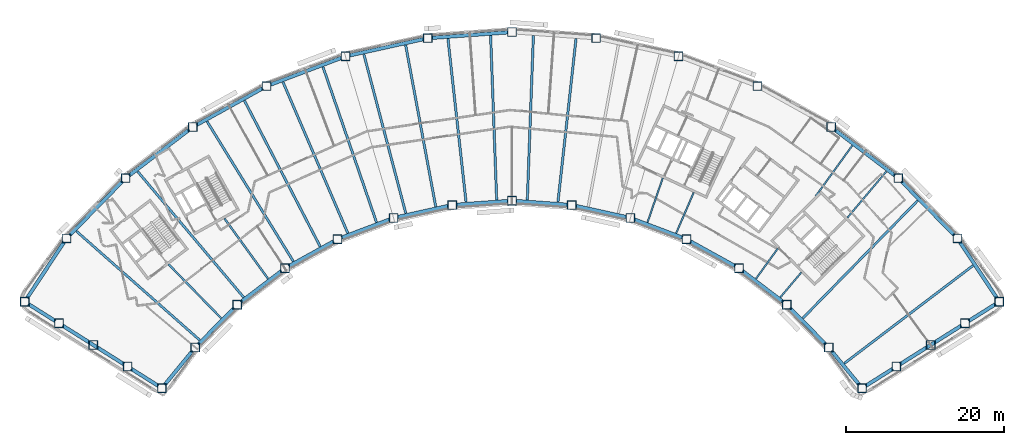
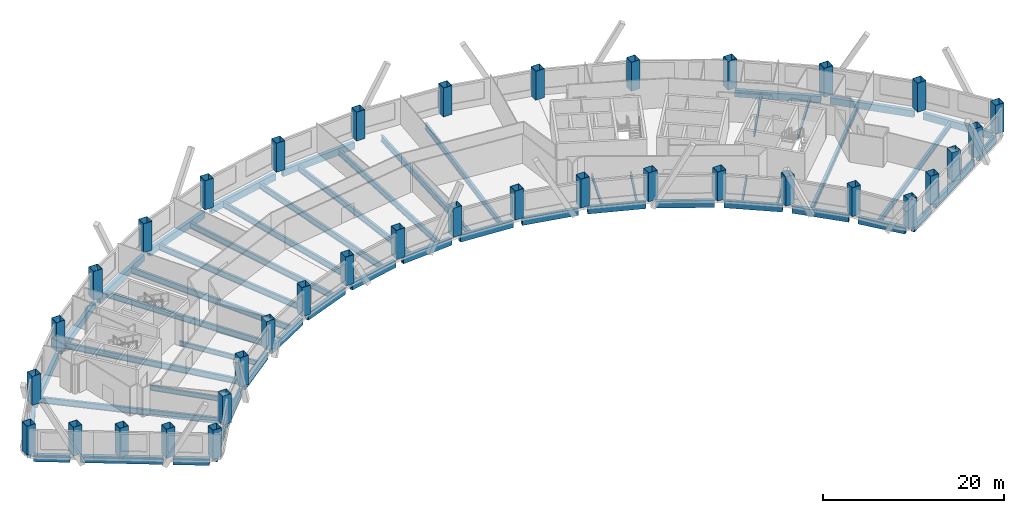
# One storey, part 1 of 11: 52 beams, 36 columns.
"""IFC4 building model written with IfcOpenShell, lengths in metres."""

from ifc_helpers import new_model, si_unit, direction, frame, origin, origin_2d, place, context, subcontext, project, spatial, hollow_rectangle, i_section, extrude, material, material_profile, profile_set, type_object, element, save


model = new_model("IFC4")

# Units and contexts
model_context = context("Model", 3, precision=1e-05, world=origin(), true_north=direction((0.0, 1.0)))
body_context = subcontext(model_context, "Body", "Model", "MODEL_VIEW")
ifc_project = project(units=[si_unit("LENGTHUNIT", "METRE"), si_unit("AREAUNIT", "SQUARE_METRE"), si_unit("VOLUMEUNIT", "CUBIC_METRE"), si_unit("PLANEANGLEUNIT", "RADIAN"), si_unit("MASSUNIT", "GRAM", prefix="KILO")], contexts=[model_context])

# Site, building, storey
site_placement = place(None, origin())
site = spatial("IfcSite", under=ifc_project, at=site_placement, CompositionType="ELEMENT")
building_placement = place(site_placement, origin())
building = spatial("IfcBuilding", under=site, at=building_placement, Name="Tuul Gate Civic Tower", CompositionType="ELEMENT")
storey_placement = place(building_placement, frame((0.0, 0.0, 107.699951171875)))
storey = spatial("IfcBuildingStorey", under=building, at=storey_placement, Name="Level 24", CompositionType="ELEMENT", Elevation=107.699951171875)

# Columns
ifc_material_1 = material(Name="Steel S355", Category="steel")
ifc_material_profile_1 = material_profile(ifc_material_1, hollow_rectangle(XDim=1.10009765625, YDim=1.10009765625, WallThickness=0.035888671875, at=origin_2d()), Name="BOX1100x1100x36")
ifc_profile_set_1 = profile_set([ifc_material_profile_1], Name="Steel S355")
column_type = type_object("IfcColumnType", Name="STR-COLUMN-BOX1100x1100x36", PredefinedType="COLUMN", material=ifc_profile_set_1)
for number, where, z_axis, x_axis, name in (
    (1, (71.5, -20.44189453125, 0.0), (0.0, 0.0, 1.0), (1.0, 0.0, 0.0), "Column"),
    (2, (66.200927734375, -12.428955078125, 0.0), (0.0, 0.0, 1.0), (1.0, 0.0, 0.0), "Column"),
    (3, (58.72607421875, -4.803955078125, 0.0), (0.0, 0.0, 1.0), (1.0, 0.0, 0.0), "Column"),
    (4, (50.23095703125, 1.6640625, 0.0), (0.0, 0.0, 1.0), (1.0, 0.0, 0.0), "Column"),
    (5, (40.89306640625, 6.840087890625, 0.0), (0.0, 0.0, 1.0), (1.0, 0.0, 0.0), "Column"),
    (6, (30.905029296875, 10.616943359375, 0.0), (0.0, 0.0, 1.0), (1.0, 0.0, 0.0), "Column"),
    (7, (20.47802734375, 12.9150390625, 0.0), (0.0, 0.0, 1.0), (1.0, 0.0, 0.0), "Column"),
    (8, (9.8291015625, 13.68603515625, 0.0), (0.0, 0.0, 1.0), (1.0, 0.0, 0.0), "Column"),
    (9, (-0.821044921875, 12.9150390625, 0.0), (0.0, 0.0, 1.0), (1.0, 0.0, 0.0), "Column"),
    (10, (-11.248046875, 10.616943359375, 0.0), (0.0, 0.0, 1.0), (1.0, 0.0, 0.0), "Column"),
    (11, (-21.235107421875, 6.840087890625, 0.0), (0.0, 0.0, 1.0), (1.0, 0.0, 0.0), "Column"),
    (12, (-30.573974609375, 1.6640625, 0.0), (0.0, 0.0, 1.0), (1.0, 0.0, 0.0), "Column"),
    (13, (-39.069091796875, -4.803955078125, 0.0), (0.0, 0.0, 1.0), (1.0, 0.0, 0.0), "Column"),
    (14, (-46.54296875, -12.428955078125, 0.0), (0.0, 0.0, 1.0), (1.0, 0.0, 0.0), "Column"),
    (15, (-51.842041015625, -20.44189453125, 0.0), (0.0, 0.0, 1.0), (1.0, 0.0, 0.0), "Column"),
    (16, (-47.5, -23.176025390625, 0.0), (0.0, 0.0, 1.0), (1.0, 0.0, 0.0), "Column"),
    (17, (-43.156982421875, -25.910888671875, 0.0), (0.0, 0.0, 1.0), (1.0, 0.0, 0.0), "Column"),
    (18, (-38.81494140625, -28.64599609375, 0.0), (0.0, 0.0, 1.0), (1.0, 0.0, 0.0), "Column"),
    (19, (-34.471923828125, -31.3798828125, 0.0), (0.0, 0.0, 1.0), (1.0, 0.0, 0.0), "Column"),
    (20, (-30.251953125, -26.238037109375, 0.0), (0.0, 0.0, 1.0), (1.0, 0.0, 0.0), "Column"),
    (21, (-24.93798828125, -20.81689453125, 0.0), (0.0, 0.0, 1.0), (1.0, 0.0, 0.0), "Column"),
    (22, (-18.89794921875, -16.218017578125, 0.0), (0.0, 0.0, 1.0), (1.0, 0.0, 0.0), "Column"),
    (23, (-12.258056640625, -12.537109375, 0.0), (0.0, 0.0, 1.0), (1.0, 0.0, 0.0), "Column"),
    (24, (-5.156982421875, -9.85205078125, 0.0), (0.0, 0.0, 1.0), (1.0, 0.0, 0.0), "Column"),
    (25, (2.257080078125, -8.218017578125, 0.0), (0.0, 0.0, 1.0), (1.0, 0.0, 0.0), "Column"),
    (26, (9.8291015625, -7.6689453125, 0.0), (0.0, 0.0, 1.0), (1.0, 0.0, 0.0), "Column"),
    (27, (17.40087890625, -8.218017578125, 0.0), (0.0, 0.0, 1.0), (1.0, 0.0, 0.0), "Column"),
    (28, (24.81494140625, -9.85205078125, 0.0), (0.0, 0.0, 1.0), (1.0, 0.0, 0.0), "Column"),
    (29, (31.9150390625, -12.537109375, 0.0), (0.0, 0.0, 1.0), (1.0, 0.0, 0.0), "Column"),
    (30, (38.554931640625, -16.218017578125, 0.0), (0.0, 0.0, 1.0), (1.0, 0.0, 0.0), "Column"),
    (31, (44.595947265625, -20.81689453125, 0.0), (0.0, 0.0, 1.0), (1.0, 0.0, 0.0), "Column"),
    (32, (49.909912109375, -26.238037109375, 0.0), (0.0, 0.0, 1.0), (1.0, 0.0, 0.0), "Column"),
    (33, (54.1298828125, -31.3798828125, 0.0), (0.0, 0.0, 1.0), (1.0, 0.0, 0.0), "Column"),
    (34, (58.471923828125, -28.64599609375, 0.0), (0.0, 0.0, 1.0), (1.0, 0.0, 0.0), "Column"),
    (35, (62.81494140625, -25.910888671875, 0.0), (0.0, 0.0, 1.0), (1.0, 0.0, 0.0), "Column"),
    (36, (67.156982421875, -23.176025390625, 0.0), (0.0, 0.0, 1.0), (1.0, 0.0, 0.0), "Column"),
):
    element("IfcColumn", number, at=place(storey_placement, frame(where, z_axis=z_axis, x_axis=x_axis)), inside=storey, type_object=column_type, Name=name, PredefinedType="COLUMN", context=body_context, shape_type="SweptSolid", body=[
        extrude(hollow_rectangle(XDim=1.10009765625, YDim=1.10009765625, WallThickness=0.035888671875, at=origin_2d()), origin(), (0.0, 0.0, 1.0), 3.900146484375),
    ])

# Beams
ifc_material_2 = material(Name="Steel S355", Category="steel")
ifc_material_profile_2 = material_profile(ifc_material_2, i_section(OverallWidth=0.199951171875, OverallDepth=0.5, WebThickness=0.010009765625, FlangeThickness=0.01611328125, at=origin_2d()), Name="PG500x200x10x16")
ifc_profile_set_2 = profile_set([ifc_material_profile_2], Name="Steel S355")
beam_type_1 = type_object("IfcBeamType", Name="STR-FLOOR BEAM-PG500x200x10x16", PredefinedType="BEAM", material=ifc_profile_set_2)
beam_1_placement = place(storey_placement, frame((43.78662109375, -19.88671875, -0.550048828125), z_axis=(0.644164873832, 0.764886668286, 0.0), x_axis=(-0.764886668286, 0.644164873832, 0.0)))
element("IfcBeam", 37, at=beam_1_placement, inside=storey, type_object=beam_type_1, Name="Floor beam", PredefinedType="BEAM", context=body_context, shape_type="SweptSolid", body=[
    extrude(i_section(OverallWidth=0.199951171875, OverallDepth=0.5, WebThickness=0.010009765625, FlangeThickness=0.01611328125, at=origin_2d()), origin(), (0.0, 0.0, 1.0), 4.129638671875),
])
beam_2_placement = place(storey_placement, frame((52.270263671875, -9.812255859375, -0.550048828125), z_axis=(0.644131817174, 0.764914506402, 0.0), x_axis=(-0.764914506402, 0.644131817174, 0.0)))
element("IfcBeam", 38, at=beam_2_placement, inside=storey, type_object=beam_type_1, Name="Floor beam", PredefinedType="BEAM", context=body_context, shape_type="SweptSolid", body=[
    extrude(i_section(OverallWidth=0.199951171875, OverallDepth=0.5, WebThickness=0.010009765625, FlangeThickness=0.01611328125, at=origin_2d()), origin(), (0.0, 0.0, 1.0), 7.65478515625),
])
beam_3_placement = place(storey_placement, frame((40.6982421875, -17.535400390625, -0.550048828125), z_axis=(0.586092436702, 0.810244195068, 0.0), x_axis=(-0.810244195068, 0.586092436702, 0.0)))
element("IfcBeam", 39, at=beam_3_placement, inside=storey, type_object=beam_type_1, Name="Floor beam", PredefinedType="BEAM", context=body_context, shape_type="SweptSolid", body=[
    extrude(i_section(OverallWidth=0.199951171875, OverallDepth=0.5, WebThickness=0.010009765625, FlangeThickness=0.01611328125, at=origin_2d()), origin(), (0.0, 0.0, 1.0), 4.73779296875),
])
beam_4_placement = place(storey_placement, frame((48.2353515625, -7.11572265625, -0.550048828125), z_axis=(0.586078163081, 0.810254519741, 0.0), x_axis=(-0.810254519741, 0.586078163081, 0.0)))
element("IfcBeam", 40, at=beam_4_placement, inside=storey, type_object=beam_type_1, Name="Floor beam", PredefinedType="BEAM", context=body_context, shape_type="SweptSolid", body=[
    extrude(i_section(OverallWidth=0.199951171875, OverallDepth=0.5, WebThickness=0.010009765625, FlangeThickness=0.01611328125, at=origin_2d()), origin(), (0.0, 0.0, 1.0), 7.94677734375),
])
beam_5_placement = place(storey_placement, frame((30.60546875, -11.7744140625, -0.550048828125), z_axis=(0.394202846621, 0.919023457653, 0.0), x_axis=(-0.919023457653, 0.394202846621, 0.0)))
element("IfcBeam", 41, at=beam_5_placement, inside=storey, type_object=beam_type_1, Name="Floor beam", PredefinedType="BEAM", context=body_context, shape_type="SweptSolid", body=[
    extrude(i_section(OverallWidth=0.199951171875, OverallDepth=0.5, WebThickness=0.010009765625, FlangeThickness=0.01611328125, at=origin_2d()), origin(), (0.0, 0.0, 1.0), 5.611083984375),
])
beam_6_placement = place(storey_placement, frame((26.97509765625, -10.401611328125, -0.550048828125), z_axis=(0.325486996398, 0.945546516664, 0.0), x_axis=(-0.945546516664, 0.325486996398, 0.0)))
element("IfcBeam", 42, at=beam_6_placement, inside=storey, type_object=beam_type_1, Name="Floor beam", PredefinedType="BEAM", context=body_context, shape_type="SweptSolid", body=[
    extrude(i_section(OverallWidth=0.199951171875, OverallDepth=0.5, WebThickness=0.010009765625, FlangeThickness=0.01611328125, at=origin_2d()), origin(), (0.0, 0.0, 1.0), 5.930908203125),
])
ifc_material_3 = material(Name="Steel S355", Category="steel")
ifc_material_profile_3 = material_profile(ifc_material_3, i_section(OverallWidth=0.25, OverallDepth=0.64990234375, WebThickness=0.011962890625, FlangeThickness=0.02001953125, at=origin_2d()), Name="PG650x250x12x20")
ifc_profile_set_3 = profile_set([ifc_material_profile_3], Name="Steel S355")
beam_type_2 = type_object("IfcBeamType", Name="STR-FLOOR BEAM-PG650x250x12x20", PredefinedType="BEAM", material=ifc_profile_set_3)
beam_7_placement = place(storey_placement, frame((-21.040771484375, -17.53515625, -0.625), z_axis=(-0.586071957424, 0.810259008417, 0.0), x_axis=(-0.810259008417, -0.586071957424, 0.0)))
element("IfcBeam", 43, at=beam_7_placement, inside=storey, type_object=beam_type_2, Name="Floor beam", PredefinedType="BEAM", context=body_context, shape_type="SweptSolid", body=[
    extrude(i_section(OverallWidth=0.25, OverallDepth=0.64990234375, WebThickness=0.011962890625, FlangeThickness=0.02001953125, at=origin_2d()), origin(), (0.0, 0.0, 1.0), 9.4111328125),
])
beam_8_placement = place(storey_placement, frame((-26.96923828125, -22.531982421875, -0.625), z_axis=(-0.698693179665, 0.715421442711, 0.0), x_axis=(-0.715421442711, -0.698693179665, 0.0)))
element("IfcBeam", 44, at=beam_8_placement, inside=storey, type_object=beam_type_2, Name="Floor beam", PredefinedType="BEAM", context=body_context, shape_type="SweptSolid", body=[
    extrude(i_section(OverallWidth=0.25, OverallDepth=0.64990234375, WebThickness=0.011962890625, FlangeThickness=0.02001953125, at=origin_2d()), origin(), (0.0, 0.0, 1.0), 9.5302734375),
])
ifc_material_4 = material(Name="Steel S355", Category="steel")
ifc_material_profile_4 = material_profile(ifc_material_4, i_section(OverallWidth=0.300048828125, OverallDepth=0.800048828125, WebThickness=0.013916015625, FlangeThickness=0.02490234375, at=origin_2d()), Name="PG800x300x14x25")
ifc_profile_set_4 = profile_set([ifc_material_profile_4], Name="Steel S355")
beam_type_3 = type_object("IfcBeamType", Name="STR-FLOOR BEAM-PG800x300x14x25", PredefinedType="BEAM", material=ifc_profile_set_4)
beam_9_placement = place(storey_placement, frame((51.8837890625, -28.2490234375, -0.699951171875), z_axis=(0.796146559843, 0.605103838403, 0.0), x_axis=(-0.605103838403, 0.796146559843, 0.0)))
element("IfcBeam", 45, at=beam_9_placement, inside=storey, type_object=beam_type_3, Name="Floor beam", PredefinedType="BEAM", context=body_context, shape_type="SweptSolid", body=[
    extrude(i_section(OverallWidth=0.300048828125, OverallDepth=0.800048828125, WebThickness=0.013916015625, FlangeThickness=0.02490234375, at=origin_2d()), origin(), (0.0, 0.0, 1.0), 20.46240234375),
])
beam_10_placement = place(storey_placement, frame((46.627197265625, -22.531982421875, -0.699951171875), z_axis=(0.698684495675, 0.715429923544, 0.0), x_axis=(-0.715429923544, 0.698684495675, 0.0)))
element("IfcBeam", 46, at=beam_10_placement, inside=storey, type_object=beam_type_3, Name="Floor beam", PredefinedType="BEAM", context=body_context, shape_type="SweptSolid", body=[
    extrude(i_section(OverallWidth=0.300048828125, OverallDepth=0.800048828125, WebThickness=0.013916015625, FlangeThickness=0.02490234375, at=origin_2d()), origin(), (0.0, 0.0, 1.0), 20.804931640625),
])
beam_11_placement = place(storey_placement, frame((15.64013671875, -7.839599609375, -0.699951171875), z_axis=(0.110288630292, 0.993899601584, 0.0), x_axis=(-0.993899601584, 0.110288630292, 0.0)))
element("IfcBeam", 47, at=beam_11_placement, inside=storey, type_object=beam_type_3, Name="Floor beam", PredefinedType="BEAM", context=body_context, shape_type="SweptSolid", body=[
    extrude(i_section(OverallWidth=0.300048828125, OverallDepth=0.800048828125, WebThickness=0.013916015625, FlangeThickness=0.02490234375, at=origin_2d()), origin(), (0.0, 0.0, 1.0), 20.81494140625),
])
for number, where, z_axis, x_axis, name in (
    (48, (11.769287109375, -7.55908203125, -0.699951171875), (0.036833774102, 0.999321406298, 0.0), (-0.999321406298, 0.036833774102, 0.0), "Floor beam"),
    (49, (7.888427734375, -7.55908203125, -0.699951171875), (-0.036822059508, 0.999321838015, 0.0), (-0.999321838015, -0.036822059508, 0.0), "Floor beam"),
):
    element("IfcBeam", number, at=place(storey_placement, frame(where, z_axis=z_axis, x_axis=x_axis)), inside=storey, type_object=beam_type_3, Name=name, PredefinedType="BEAM", context=body_context, shape_type="SweptSolid", body=[
        extrude(i_section(OverallWidth=0.300048828125, OverallDepth=0.800048828125, WebThickness=0.013916015625, FlangeThickness=0.02490234375, at=origin_2d()), origin(), (0.0, 0.0, 1.0), 20.8125),
    ])
beam_12_placement = place(storey_placement, frame((4.017578125, -7.839599609375, -0.699951171875), z_axis=(-0.110277043848, 0.993900887212, 0.0), x_axis=(-0.993900887212, -0.110277043848, 0.0)))
element("IfcBeam", 50, at=beam_12_placement, inside=storey, type_object=beam_type_3, Name="Floor beam", PredefinedType="BEAM", context=body_context, shape_type="SweptSolid", body=[
    extrude(i_section(OverallWidth=0.300048828125, OverallDepth=0.800048828125, WebThickness=0.013916015625, FlangeThickness=0.02490234375, at=origin_2d()), origin(), (0.0, 0.0, 1.0), 20.81494140625),
])
beam_13_placement = place(storey_placement, frame((0.180419921875, -8.419677734375, -0.699951171875), z_axis=(-0.183145230157, 0.983085868412, 0.0), x_axis=(-0.983085868412, -0.183145230157, 0.0)))
element("IfcBeam", 51, at=beam_13_placement, inside=storey, type_object=beam_type_3, Name="Floor beam", PredefinedType="BEAM", context=body_context, shape_type="SweptSolid", body=[
    extrude(i_section(OverallWidth=0.300048828125, OverallDepth=0.800048828125, WebThickness=0.013916015625, FlangeThickness=0.02490234375, at=origin_2d()), origin(), (0.0, 0.0, 1.0), 20.8115234375),
])
beam_14_placement = place(storey_placement, frame((-3.609619140625, -9.2548828125, -0.699951171875), z_axis=(-0.255004720301, 0.96693980817, 0.0), x_axis=(-0.96693980817, -0.255004720301, 0.0)))
element("IfcBeam", 52, at=beam_14_placement, inside=storey, type_object=beam_type_3, Name="Floor beam", PredefinedType="BEAM", context=body_context, shape_type="SweptSolid", body=[
    extrude(i_section(OverallWidth=0.300048828125, OverallDepth=0.800048828125, WebThickness=0.013916015625, FlangeThickness=0.02490234375, at=origin_2d()), origin(), (0.0, 0.0, 1.0), 20.817626953125),
])
beam_15_placement = place(storey_placement, frame((-7.3173828125, -10.401611328125, -0.699951171875), z_axis=(-0.325486974479, 0.945546524209, 0.0), x_axis=(-0.945546524209, -0.325486974479, 0.0)))
element("IfcBeam", 53, at=beam_15_placement, inside=storey, type_object=beam_type_3, Name="Floor beam", PredefinedType="BEAM", context=body_context, shape_type="SweptSolid", body=[
    extrude(i_section(OverallWidth=0.300048828125, OverallDepth=0.800048828125, WebThickness=0.013916015625, FlangeThickness=0.02490234375, at=origin_2d()), origin(), (0.0, 0.0, 1.0), 20.809326171875),
])
beam_16_placement = place(storey_placement, frame((-10.94775390625, -11.774169921875, -0.699951171875), z_axis=(-0.394200920337, 0.919024283904, 0.0), x_axis=(-0.919024283904, -0.394200920337, 0.0)))
element("IfcBeam", 54, at=beam_16_placement, inside=storey, type_object=beam_type_3, Name="Floor beam", PredefinedType="BEAM", context=body_context, shape_type="SweptSolid", body=[
    extrude(i_section(OverallWidth=0.300048828125, OverallDepth=0.800048828125, WebThickness=0.013916015625, FlangeThickness=0.02490234375, at=origin_2d()), origin(), (0.0, 0.0, 1.0), 20.8193359375),
])
beam_17_placement = place(storey_placement, frame((-14.442626953125, -13.462158203125, -0.699951171875), z_axis=(-0.460777059353, 0.887515916237, 0.0), x_axis=(-0.887515916237, -0.460777059353, 0.0)))
element("IfcBeam", 55, at=beam_17_placement, inside=storey, type_object=beam_type_3, Name="Floor beam", PredefinedType="BEAM", context=body_context, shape_type="SweptSolid", body=[
    extrude(i_section(OverallWidth=0.300048828125, OverallDepth=0.800048828125, WebThickness=0.013916015625, FlangeThickness=0.02490234375, at=origin_2d()), origin(), (0.0, 0.0, 1.0), 20.8076171875),
])
beam_18_placement = place(storey_placement, frame((-17.837158203125, -15.343994140625, -0.699951171875), z_axis=(-0.524856706834, 0.851190599861, 0.0), x_axis=(-0.851190599861, -0.524856706834, 0.0)))
element("IfcBeam", 56, at=beam_18_placement, inside=storey, type_object=beam_type_3, Name="Floor beam", PredefinedType="BEAM", context=body_context, shape_type="SweptSolid", body=[
    extrude(i_section(OverallWidth=0.300048828125, OverallDepth=0.800048828125, WebThickness=0.013916015625, FlangeThickness=0.02490234375, at=origin_2d()), origin(), (0.0, 0.0, 1.0), 20.82275390625),
])
beam_19_placement = place(storey_placement, frame((-24.12890625, -19.88671875, -0.699951171875), z_axis=(-0.644132135775, 0.764914238109, 0.0), x_axis=(-0.764914238109, -0.644132135775, 0.0)))
element("IfcBeam", 57, at=beam_19_placement, inside=storey, type_object=beam_type_3, Name="Floor beam", PredefinedType="BEAM", context=body_context, shape_type="SweptSolid", body=[
    extrude(i_section(OverallWidth=0.300048828125, OverallDepth=0.800048828125, WebThickness=0.013916015625, FlangeThickness=0.02490234375, at=origin_2d()), origin(), (0.0, 0.0, 1.0), 20.82568359375),
])
beam_20_placement = place(storey_placement, frame((-29.686767578125, -25.30419921875, -0.699951171875), z_axis=(-0.749447427269, 0.662063859277, 0.0), x_axis=(-0.662063859277, -0.749447427269, 0.0)))
element("IfcBeam", 58, at=beam_20_placement, inside=storey, type_object=beam_type_3, Name="Floor beam", PredefinedType="BEAM", context=body_context, shape_type="SweptSolid", body=[
    extrude(i_section(OverallWidth=0.300048828125, OverallDepth=0.800048828125, WebThickness=0.013916015625, FlangeThickness=0.02490234375, at=origin_2d()), origin(), (0.0, 0.0, 1.0), 20.82861328125),
])
ifc_material_5 = material(Name="Steel S355", Category="steel")
ifc_material_profile_5 = material_profile(ifc_material_5, hollow_rectangle(XDim=0.449951171875, YDim=0.89990234375, WallThickness=0.02490234375, at=origin_2d()), Name="BOX900x450x25")
ifc_profile_set_5 = profile_set([ifc_material_profile_5], Name="Steel S355")
beam_type_4 = type_object("IfcBeamType", Name="STR-SPANDREL BEAM-BOX900x450x25", PredefinedType="BEAM", material=ifc_profile_set_5)
beam_21_placement = place(storey_placement, frame((71.196533203125, -19.983154296875, -0.75), z_axis=(-0.551590080745, 0.83411532945, 0.0), x_axis=(-0.83411532945, -0.551590080745, 0.0)))
element("IfcBeam", 59, at=beam_21_placement, inside=storey, type_object=beam_type_4, Name="Spandrel beam", PredefinedType="BEAM", context=body_context, shape_type="SweptSolid", body=[
    extrude(hollow_rectangle(XDim=0.449951171875, YDim=0.89990234375, WallThickness=0.02490234375, at=origin_2d()), origin(), (0.0, 0.0, 1.0), 8.506591796875),
])
beam_22_placement = place(storey_placement, frame((65.81591796875, -12.0361328125, -0.75), z_axis=(-0.700049238086, 0.714094576548, 0.0), x_axis=(-0.714094576548, -0.700049238086, 0.0)))
element("IfcBeam", 60, at=beam_22_placement, inside=storey, type_object=beam_type_4, Name="Spandrel beam", PredefinedType="BEAM", context=body_context, shape_type="SweptSolid", body=[
    extrude(hollow_rectangle(XDim=0.449951171875, YDim=0.89990234375, WallThickness=0.02490234375, at=origin_2d()), origin(), (0.0, 0.0, 1.0), 9.57763671875),
])
beam_23_placement = place(storey_placement, frame((58.288330078125, -4.470703125, -0.75), z_axis=(-0.795628890165, 0.605784342101, 0.0), x_axis=(-0.605784342101, -0.795628890165, 0.0)))
element("IfcBeam", 61, at=beam_23_placement, inside=storey, type_object=beam_type_4, Name="Spandrel beam", PredefinedType="BEAM", context=body_context, shape_type="SweptSolid", body=[
    extrude(hollow_rectangle(XDim=0.449951171875, YDim=0.89990234375, WallThickness=0.02490234375, at=origin_2d()), origin(), (0.0, 0.0, 1.0), 9.576904296875),
])
beam_24_placement = place(storey_placement, frame((9.280517578125, 13.646240234375, -0.75), z_axis=(-0.997391103387, -0.072187165652, 0.0), x_axis=(0.072187165652, -0.997391103387, 0.0)))
element("IfcBeam", 62, at=beam_24_placement, inside=storey, type_object=beam_type_4, Name="Spandrel beam", PredefinedType="BEAM", context=body_context, shape_type="SweptSolid", body=[
    extrude(hollow_rectangle(XDim=0.449951171875, YDim=0.89990234375, WallThickness=0.02490234375, at=origin_2d()), origin(), (0.0, 0.0, 1.0), 9.577880859375),
])
for number, where, z_axis, x_axis, name in (
    (63, (-1.358154296875, 12.796630859375, -0.75), (-0.976564052188, -0.215226977802, 0.0), (0.215226977802, -0.976564052188, 0.0), "Spandrel beam"),
    (64, (-11.762451171875, 10.42236328125, -0.75), (-0.935349182436, -0.353725750994, 0.0), (0.353725750994, -0.935349182436, 0.0), "Spandrel beam"),
):
    element("IfcBeam", number, at=place(storey_placement, frame(where, z_axis=z_axis, x_axis=x_axis)), inside=storey, type_object=beam_type_4, Name=name, PredefinedType="BEAM", context=body_context, shape_type="SweptSolid", body=[
        extrude(hollow_rectangle(XDim=0.449951171875, YDim=0.89990234375, WallThickness=0.02490234375, at=origin_2d()), origin(), (0.0, 0.0, 1.0), 9.5771484375),
    ])
beam_25_placement = place(storey_placement, frame((-21.716064453125, 6.573486328125, -0.75), z_axis=(-0.874646210848, -0.484761803208, 0.0), x_axis=(0.484761803208, -0.874646210848, 0.0)))
element("IfcBeam", 65, at=beam_25_placement, inside=storey, type_object=beam_type_4, Name="Spandrel beam", PredefinedType="BEAM", context=body_context, shape_type="SweptSolid", body=[
    extrude(hollow_rectangle(XDim=0.449951171875, YDim=0.89990234375, WallThickness=0.02490234375, at=origin_2d()), origin(), (0.0, 0.0, 1.0), 9.57763671875),
])
beam_26_placement = place(storey_placement, frame((-31.011474609375, 1.330810546875, -0.75), z_axis=(-0.795638245076, -0.605772055292, 0.0), x_axis=(0.605772055292, -0.795638245076, 0.0)))
element("IfcBeam", 66, at=beam_26_placement, inside=storey, type_object=beam_type_4, Name="Spandrel beam", PredefinedType="BEAM", context=body_context, shape_type="SweptSolid", body=[
    extrude(hollow_rectangle(XDim=0.449951171875, YDim=0.89990234375, WallThickness=0.02490234375, at=origin_2d()), origin(), (0.0, 0.0, 1.0), 9.5771484375),
])
beam_27_placement = place(storey_placement, frame((-39.4541015625, -5.19677734375, -0.75), z_axis=(-0.699997238657, -0.714145549501, 0.0), x_axis=(0.714145549501, -0.699997238657, 0.0)))
element("IfcBeam", 67, at=beam_27_placement, inside=storey, type_object=beam_type_4, Name="Spandrel beam", PredefinedType="BEAM", context=body_context, shape_type="SweptSolid", body=[
    extrude(hollow_rectangle(XDim=0.449951171875, YDim=0.89990234375, WallThickness=0.02490234375, at=origin_2d()), origin(), (0.0, 0.0, 1.0), 9.576904296875),
])
beam_28_placement = place(storey_placement, frame((-46.846435546875, -12.8876953125, -0.75), z_axis=(-0.551590080745, -0.83411532945, 0.0), x_axis=(0.83411532945, -0.551590080745, 0.0)))
element("IfcBeam", 68, at=beam_28_placement, inside=storey, type_object=beam_type_4, Name="Spandrel beam", PredefinedType="BEAM", context=body_context, shape_type="SweptSolid", body=[
    extrude(hollow_rectangle(XDim=0.449951171875, YDim=0.89990234375, WallThickness=0.02490234375, at=origin_2d()), origin(), (0.0, 0.0, 1.0), 8.506591796875),
])
beam_29_placement = place(storey_placement, frame((-51.37646484375, -20.735107421875, -0.75), z_axis=(0.846210588651, -0.532848608571, 0.0), x_axis=(0.532848608571, 0.846210588651, 0.0)))
element("IfcBeam", 69, at=beam_29_placement, inside=storey, type_object=beam_type_4, Name="Spandrel beam", PredefinedType="BEAM", context=body_context, shape_type="SweptSolid", body=[
    extrude(hollow_rectangle(XDim=0.449951171875, YDim=0.89990234375, WallThickness=0.02490234375, at=origin_2d()), origin(), (0.0, 0.0, 1.0), 4.031005859375),
])
beam_30_placement = place(storey_placement, frame((-47.03466796875, -23.468994140625, -0.75), z_axis=(0.846164320765, -0.53292207898, 0.0), x_axis=(0.53292207898, 0.846164320765, 0.0)))
element("IfcBeam", 70, at=beam_30_placement, inside=storey, type_object=beam_type_4, Name="Spandrel beam", PredefinedType="BEAM", context=body_context, shape_type="SweptSolid", body=[
    extrude(hollow_rectangle(XDim=0.449951171875, YDim=0.89990234375, WallThickness=0.02490234375, at=origin_2d()), origin(), (0.0, 0.0, 1.0), 9.1640625),
])
beam_31_placement = place(storey_placement, frame((-38.349609375, -28.93896484375, -0.75), z_axis=(0.846279351523, -0.532739391435, 0.0), x_axis=(0.532739391435, 0.846279351523, 0.0)))
element("IfcBeam", 71, at=beam_31_placement, inside=storey, type_object=beam_type_4, Name="Spandrel beam", PredefinedType="BEAM", context=body_context, shape_type="SweptSolid", body=[
    extrude(hollow_rectangle(XDim=0.449951171875, YDim=0.89990234375, WallThickness=0.02490234375, at=origin_2d()), origin(), (0.0, 0.0, 1.0), 4.031982421875),
])
beam_32_placement = place(storey_placement, frame((-34.123046875, -30.954833984375, -0.75), z_axis=(0.634400839416, 0.773004252866, 0.0), x_axis=(-0.773004252866, 0.634400839416, 0.0)))
element("IfcBeam", 72, at=beam_32_placement, inside=storey, type_object=beam_type_4, Name="Spandrel beam", PredefinedType="BEAM", context=body_context, shape_type="SweptSolid", body=[
    extrude(hollow_rectangle(XDim=0.449951171875, YDim=0.89990234375, WallThickness=0.02490234375, at=origin_2d()), origin(), (0.0, 0.0, 1.0), 5.552001953125),
])
beam_33_placement = place(storey_placement, frame((-29.866943359375, -25.84521484375, -0.75), z_axis=(0.700019515807, 0.714123713014, 0.0), x_axis=(-0.714123713014, 0.700019515807, 0.0)))
element("IfcBeam", 73, at=beam_33_placement, inside=storey, type_object=beam_type_4, Name="Spandrel beam", PredefinedType="BEAM", context=body_context, shape_type="SweptSolid", body=[
    extrude(hollow_rectangle(XDim=0.449951171875, YDim=0.89990234375, WallThickness=0.02490234375, at=origin_2d()), origin(), (0.0, 0.0, 1.0), 6.4912109375),
])
beam_34_placement = place(storey_placement, frame((-24.50048828125, -20.48388671875, -0.75), z_axis=(0.795614709781, 0.605802965972, 0.0), x_axis=(-0.605802965972, 0.795614709781, 0.0)))
element("IfcBeam", 74, at=beam_34_placement, inside=storey, type_object=beam_type_4, Name="Spandrel beam", PredefinedType="BEAM", context=body_context, shape_type="SweptSolid", body=[
    extrude(hollow_rectangle(XDim=0.449951171875, YDim=0.89990234375, WallThickness=0.02490234375, at=origin_2d()), origin(), (0.0, 0.0, 1.0), 6.49169921875),
])
beam_35_placement = place(storey_placement, frame((-18.4169921875, -15.951416015625, -0.75), z_axis=(0.874596833749, 0.484850882639, 0.0), x_axis=(-0.484850882639, 0.874596833749, 0.0)))
element("IfcBeam", 75, at=beam_35_placement, inside=storey, type_object=beam_type_4, Name="Spandrel beam", PredefinedType="BEAM", context=body_context, shape_type="SweptSolid", body=[
    extrude(hollow_rectangle(XDim=0.449951171875, YDim=0.89990234375, WallThickness=0.02490234375, at=origin_2d()), origin(), (0.0, 0.0, 1.0), 6.4921875),
])
beam_36_placement = place(storey_placement, frame((-11.74365234375, -12.342529296875, -0.75), z_axis=(0.935373699363, 0.353660914635, 0.0), x_axis=(-0.353660914635, 0.935373699363, 0.0)))
element("IfcBeam", 76, at=beam_36_placement, inside=storey, type_object=beam_type_4, Name="Spandrel beam", PredefinedType="BEAM", context=body_context, shape_type="SweptSolid", body=[
    extrude(hollow_rectangle(XDim=0.449951171875, YDim=0.89990234375, WallThickness=0.02490234375, at=origin_2d()), origin(), (0.0, 0.0, 1.0), 6.49169921875),
])
for number, where, z_axis, x_axis, name in (
    (77, (-4.619873046875, -9.733642578125, -0.75), (0.976565169857, 0.215221906465, 0.0), (-0.215221906465, 0.976565169857, 0.0), "Spandrel beam"),
    (78, (2.8056640625, -8.17822265625, -0.75), (0.99738157331, 0.072318719712, 0.0), (-0.072318719712, 0.99738157331, 0.0), "Spandrel beam"),
):
    element("IfcBeam", number, at=place(storey_placement, frame(where, z_axis=z_axis, x_axis=x_axis)), inside=storey, type_object=beam_type_4, Name=name, PredefinedType="BEAM", context=body_context, shape_type="SweptSolid", body=[
        extrude(hollow_rectangle(XDim=0.449951171875, YDim=0.89990234375, WallThickness=0.02490234375, at=origin_2d()), origin(), (0.0, 0.0, 1.0), 6.491943359375),
    ])
beam_37_placement = place(storey_placement, frame((10.37744140625, -7.708740234375, -0.75), z_axis=(0.997381769985, -0.072316007227, 0.0), x_axis=(0.072316007227, 0.997381769985, 0.0)))
element("IfcBeam", 79, at=beam_37_placement, inside=storey, type_object=beam_type_4, Name="Spandrel beam", PredefinedType="BEAM", context=body_context, shape_type="SweptSolid", body=[
    extrude(hollow_rectangle(XDim=0.449951171875, YDim=0.89990234375, WallThickness=0.02490234375, at=origin_2d()), origin(), (0.0, 0.0, 1.0), 6.4921875),
])
beam_38_placement = place(storey_placement, frame((17.93798828125, -8.33642578125, -0.75), z_axis=(0.976565169857, -0.215221906465, 0.0), x_axis=(0.215221906465, 0.976565169857, 0.0)))
element("IfcBeam", 80, at=beam_38_placement, inside=storey, type_object=beam_type_4, Name="Spandrel beam", PredefinedType="BEAM", context=body_context, shape_type="SweptSolid", body=[
    extrude(hollow_rectangle(XDim=0.449951171875, YDim=0.89990234375, WallThickness=0.02490234375, at=origin_2d()), origin(), (0.0, 0.0, 1.0), 6.491943359375),
])
beam_39_placement = place(storey_placement, frame((25.329345703125, -10.046630859375, -0.75), z_axis=(0.935354880203, -0.353710684149, 0.0), x_axis=(0.353710684149, 0.935354880203, 0.0)))
element("IfcBeam", 81, at=beam_39_placement, inside=storey, type_object=beam_type_4, Name="Spandrel beam", PredefinedType="BEAM", context=body_context, shape_type="SweptSolid", body=[
    extrude(hollow_rectangle(XDim=0.449951171875, YDim=0.89990234375, WallThickness=0.02490234375, at=origin_2d()), origin(), (0.0, 0.0, 1.0), 6.490966796875),
])
beam_40_placement = place(storey_placement, frame((32.39599609375, -12.8037109375, -0.75), z_axis=(0.874596833749, -0.484850882639, 0.0), x_axis=(0.484850882639, 0.874596833749, 0.0)))
element("IfcBeam", 82, at=beam_40_placement, inside=storey, type_object=beam_type_4, Name="Spandrel beam", PredefinedType="BEAM", context=body_context, shape_type="SweptSolid", body=[
    extrude(hollow_rectangle(XDim=0.449951171875, YDim=0.89990234375, WallThickness=0.02490234375, at=origin_2d()), origin(), (0.0, 0.0, 1.0), 6.4921875),
])
beam_41_placement = place(storey_placement, frame((38.99267578125, -16.55126953125, -0.75), z_axis=(0.79566990921, -0.605730464462, 0.0), x_axis=(0.605730464462, 0.79566990921, 0.0)))
element("IfcBeam", 83, at=beam_41_placement, inside=storey, type_object=beam_type_4, Name="Spandrel beam", PredefinedType="BEAM", context=body_context, shape_type="SweptSolid", body=[
    extrude(hollow_rectangle(XDim=0.449951171875, YDim=0.89990234375, WallThickness=0.02490234375, at=origin_2d()), origin(), (0.0, 0.0, 1.0), 6.492431640625),
])
beam_42_placement = place(storey_placement, frame((44.98095703125, -21.209716796875, -0.75), z_axis=(0.700019515807, -0.714123713014, 0.0), x_axis=(0.714123713014, 0.700019515807, 0.0)))
element("IfcBeam", 84, at=beam_42_placement, inside=storey, type_object=beam_type_4, Name="Spandrel beam", PredefinedType="BEAM", context=body_context, shape_type="SweptSolid", body=[
    extrude(hollow_rectangle(XDim=0.449951171875, YDim=0.89990234375, WallThickness=0.02490234375, at=origin_2d()), origin(), (0.0, 0.0, 1.0), 6.4912109375),
])
beam_43_placement = place(storey_placement, frame((50.259033203125, -26.6630859375, -0.75), z_axis=(0.634374562786, -0.773025817221, 0.0), x_axis=(0.773025817221, 0.634374562786, 0.0)))
element("IfcBeam", 85, at=beam_43_placement, inside=storey, type_object=beam_type_4, Name="Spandrel beam", PredefinedType="BEAM", context=body_context, shape_type="SweptSolid", body=[
    extrude(hollow_rectangle(XDim=0.449951171875, YDim=0.89990234375, WallThickness=0.02490234375, at=origin_2d()), origin(), (0.0, 0.0, 1.0), 5.552001953125),
])
beam_44_placement = place(storey_placement, frame((54.595458984375, -31.0869140625, -0.75), z_axis=(0.846210588651, 0.532848608571, 0.0), x_axis=(-0.532848608571, 0.846210588651, 0.0)))
element("IfcBeam", 86, at=beam_44_placement, inside=storey, type_object=beam_type_4, Name="Spandrel beam", PredefinedType="BEAM", context=body_context, shape_type="SweptSolid", body=[
    extrude(hollow_rectangle(XDim=0.449951171875, YDim=0.89990234375, WallThickness=0.02490234375, at=origin_2d()), origin(), (0.0, 0.0, 1.0), 4.031005859375),
])
beam_45_placement = place(storey_placement, frame((58.9375, -28.352783203125, -0.75), z_axis=(0.84615675437, 0.53293409258, 0.0), x_axis=(-0.53293409258, 0.84615675437, 0.0)))
element("IfcBeam", 87, at=beam_45_placement, inside=storey, type_object=beam_type_4, Name="Spandrel beam", PredefinedType="BEAM", context=body_context, shape_type="SweptSolid", body=[
    extrude(hollow_rectangle(XDim=0.449951171875, YDim=0.89990234375, WallThickness=0.02490234375, at=origin_2d()), origin(), (0.0, 0.0, 1.0), 9.1640625),
])
beam_46_placement = place(storey_placement, frame((67.62255859375, -22.883056640625, -0.75), z_axis=(0.846279351523, 0.532739391435, 0.0), x_axis=(-0.532739391435, 0.846279351523, 0.0)))
element("IfcBeam", 88, at=beam_46_placement, inside=storey, type_object=beam_type_4, Name="Spandrel beam", PredefinedType="BEAM", context=body_context, shape_type="SweptSolid", body=[
    extrude(hollow_rectangle(XDim=0.449951171875, YDim=0.89990234375, WallThickness=0.02490234375, at=origin_2d()), origin(), (0.0, 0.0, 1.0), 4.031982421875),
])

save(model, "model.ifc")
